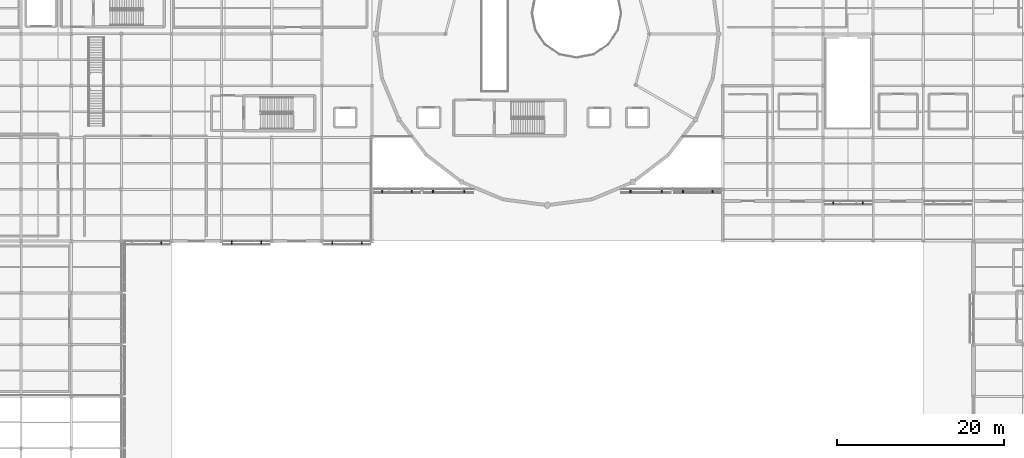
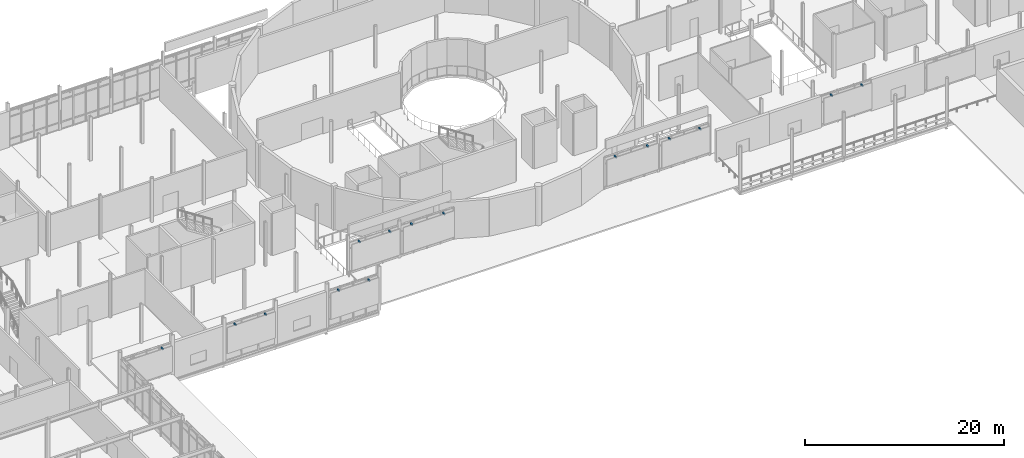
# One storey, part 78 of 105: 15 discrete accessories.
"""IFC4 building model written with IfcOpenShell, lengths in metres."""

from ifc_helpers import new_model, si_unit, direction, frame, origin, origin_2d, place, context, subcontext, project, spatial, rectangle, extrude, material, type_object, element, save


model = new_model("IFC4")

# Units and contexts
model_context = context("Model", 3, precision=1e-05, world=origin(), true_north=direction((0.0, 1.0)))
body_context = subcontext(model_context, "Body", "Model", "MODEL_VIEW")
ifc_project = project(units=[si_unit("LENGTHUNIT", "METRE"), si_unit("AREAUNIT", "SQUARE_METRE"), si_unit("VOLUMEUNIT", "CUBIC_METRE"), si_unit("PLANEANGLEUNIT", "RADIAN"), si_unit("MASSUNIT", "GRAM", prefix="KILO")], contexts=[model_context])

# Site, building, storey
site_placement = place(None, origin())
site = spatial("IfcSite", under=ifc_project, at=site_placement, CompositionType="ELEMENT")
building_placement = place(site_placement, origin())
building = spatial("IfcBuilding", under=site, at=building_placement, Name="Mirzam Square Science Centre", CompositionType="ELEMENT")
storey_placement = place(building_placement, frame((0.0, 0.0, 5.39990234375)))
storey = spatial("IfcBuildingStorey", under=building, at=storey_placement, Name="L01", CompositionType="ELEMENT", Elevation=5.39990234375)

# Discrete accessories
ifc_material = material(Name="Steel S355", Category="steel")
discrete_accessory_type = type_object("IfcDiscreteAccessoryType", Name="BRK-BRISE-STEEL", PredefinedType="BRACKET", material=ifc_material)
for number, where, z_axis, x_axis, name in (
    (1, (34.76708984375, 37.010009765625, 4.10009765625), (0.0, 0.0, 1.0), (1.0, 0.0, 0.0), "L01 brise-soleil support bracket 16"),
    (2, (43.23291015625, 37.010009765625, 4.10009765625), (0.0, 0.0, 1.0), (1.0, 0.0, 0.0), "L01 brise-soleil support bracket 17"),
    (3, (46.76708984375, 37.010009765625, 4.10009765625), (0.0, 0.0, 1.0), (1.0, 0.0, 0.0), "L01 brise-soleil support bracket 17"),
    (4, (55.23291015625, 37.010009765625, 4.10009765625), (0.0, 0.0, 1.0), (1.0, 0.0, 0.0), "L01 brise-soleil support bracket 18"),
    (5, (58.76708984375, 37.010009765625, 4.10009765625), (0.0, 0.0, 1.0), (1.0, 0.0, 0.0), "L01 brise-soleil support bracket 18"),
    (6, (61.23291015625, 43.2099609375, 4.2099609375), (0.0, 0.0, 1.0), (1.0, 0.0, 0.0), "L01 brise-soleil support bracket 43"),
    (7, (64.76708984375, 43.2099609375, 4.2099609375), (0.0, 0.0, 1.0), (1.0, 0.0, 0.0), "L01 brise-soleil support bracket 43"),
    (8, (67.302978515625, 43.2099609375, 4.2099609375), (0.0, 0.0, 1.0), (1.0, 0.0, 0.0), "L01 brise-soleil support bracket 45"),
    (9, (71.047119140625, 43.2099609375, 4.2099609375), (0.0, 0.0, 1.0), (1.0, 0.0, 0.0), "L01 brise-soleil support bracket 45"),
    (10, (90.952880859375, 43.2099609375, 4.2099609375), (0.0, 0.0, 1.0), (1.0, 0.0, 0.0), "L01 brise-soleil support bracket 47"),
    (11, (94.697021484375, 43.2099609375, 4.2099609375), (0.0, 0.0, 1.0), (1.0, 0.0, 0.0), "L01 brise-soleil support bracket 47"),
    (12, (97.23291015625, 43.2099609375, 4.2099609375), (0.0, 0.0, 1.0), (1.0, 0.0, 0.0), "L01 brise-soleil support bracket 49"),
    (13, (100.76708984375, 43.2099609375, 4.2099609375), (0.0, 0.0, 1.0), (1.0, 0.0, 0.0), "L01 brise-soleil support bracket 49"),
    (14, (115.23291015625, 41.81005859375, 4.10009765625), (0.0, 0.0, 1.0), (1.0, 0.0, 0.0), "L01 brise-soleil support bracket 71"),
    (15, (118.76708984375, 41.81005859375, 4.10009765625), (0.0, 0.0, 1.0), (1.0, 0.0, 0.0), "L01 brise-soleil support bracket 71"),
):
    element("IfcDiscreteAccessory", number, at=place(storey_placement, frame(where, z_axis=z_axis, x_axis=x_axis)), inside=storey, type_object=discrete_accessory_type, Name=name, PredefinedType="BRACKET", context=body_context, shape_type="SweptSolid", body=[
        extrude(rectangle(XDim=0.139892578125, YDim=0.419921875, at=origin_2d()), origin(), (0.0, 0.0, 1.0), 0.179931640625),
    ])

save(model, "model.ifc")
